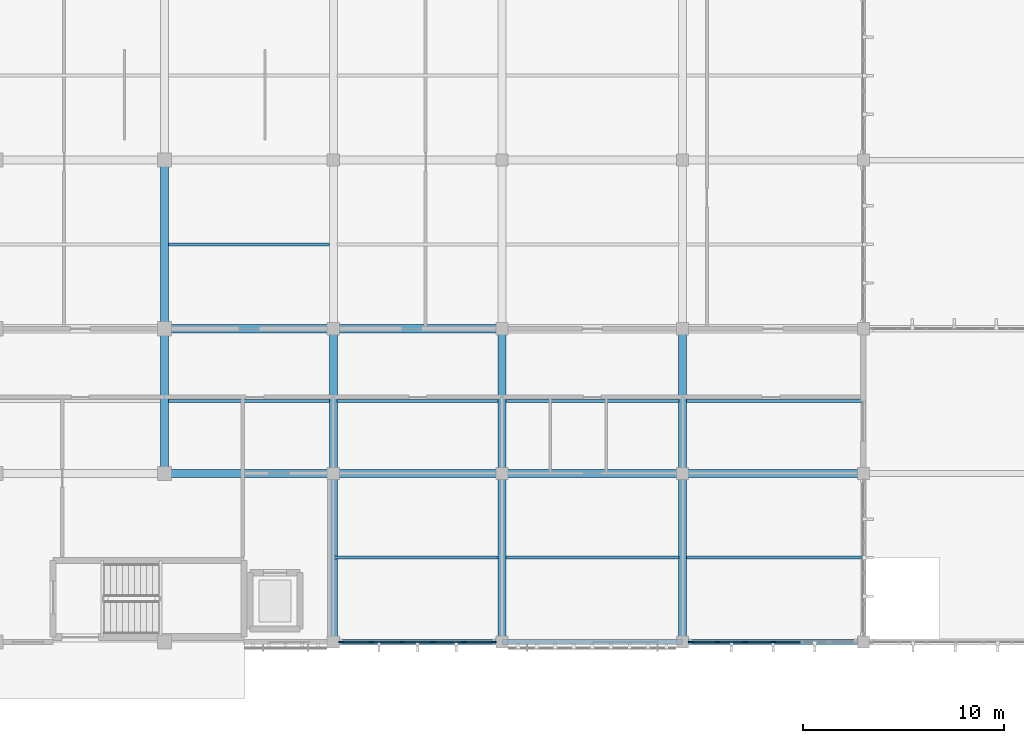
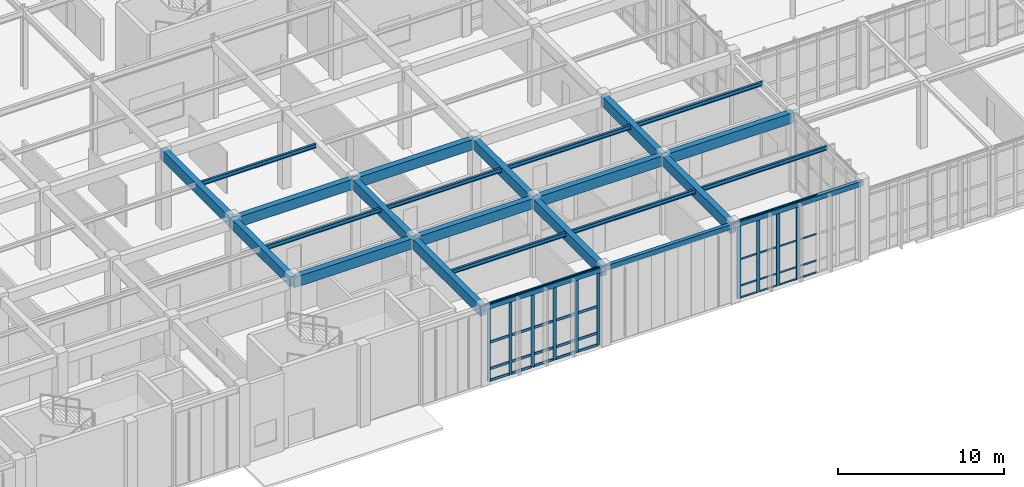
# One storey, part 26 of 110: 46 members, 25 beams, 2 elements without a shape of their own.
"""IFC4 building model written with IfcOpenShell, lengths in metres."""

from ifc_helpers import new_model, si_unit, direction, frame, origin, origin_2d, place, context, subcontext, project, spatial, rectangle, hollow_rectangle, i_section, extrude, material, material_profile, profile_set, type_object, element, aggregate, save


model = new_model("IFC4")

# Units and contexts
model_context = context("Model", 3, precision=1e-05, world=origin(), true_north=direction((0.0, 1.0)))
body_context = subcontext(model_context, "Body", "Model", "MODEL_VIEW")
ifc_project = project(units=[si_unit("LENGTHUNIT", "METRE"), si_unit("AREAUNIT", "SQUARE_METRE"), si_unit("VOLUMEUNIT", "CUBIC_METRE"), si_unit("PLANEANGLEUNIT", "RADIAN"), si_unit("MASSUNIT", "GRAM", prefix="KILO")], contexts=[model_context])

# Site, building, storey
site_placement = place(None, origin())
site = spatial("IfcSite", under=ifc_project, at=site_placement, CompositionType="ELEMENT")
building_placement = place(site_placement, origin())
building = spatial("IfcBuilding", under=site, at=building_placement, Name="Tizgana Railside Sports Hall", CompositionType="ELEMENT")
storey_placement = place(building_placement, origin())
storey = spatial("IfcBuildingStorey", under=building, at=storey_placement, Name="L00", CompositionType="ELEMENT", Elevation=0.0)

# Beams
ifc_material_1 = material(Name="Concrete C35/45", Category="concrete")
ifc_material_profile_1 = material_profile(ifc_material_1, rectangle(XDim=0.39990234375, YDim=0.75, at=origin_2d()), Name="RCB 400x750")
ifc_profile_set_1 = profile_set([ifc_material_profile_1], Name="Concrete C35/45")
beam_type_1 = type_object("IfcBeamType", Name="Concrete Beam RCB 400x750", PredefinedType="BEAM", material=ifc_profile_set_1)
beam_1_placement = place(storey_placement, frame((63.0, 8.39990234375, 5.37109375), z_axis=(0.0, 1.0, 0.0), x_axis=(-1.0, 0.0, 0.0)))
element("IfcBeam", 1, at=beam_1_placement, inside=storey, type_object=beam_type_1, Name="L00 BEM-0359", PredefinedType="BEAM", context=body_context, shape_type="SweptSolid", body=[
    extrude(rectangle(XDim=0.39990234375, YDim=0.75, at=origin_2d()), origin(), (0.0, 0.0, 1.0), 7.2001953125),
])
for number, where, z_axis, x_axis, name in (
    (2, (63.0, 15.60009765625, 5.37109375), (0.0, 1.0, 0.0), (-1.0, 0.0, 0.0), "L00 BEM-0360"),
    (3, (71.39990234375, 0.0, 5.37109375), (0.0, 1.0, 0.0), (-1.0, 0.0, 0.0), "L00 BEM-0362"),
):
    element("IfcBeam", number, at=place(storey_placement, frame(where, z_axis=z_axis, x_axis=x_axis)), inside=storey, type_object=beam_type_1, Name=name, PredefinedType="BEAM", context=body_context, shape_type="SweptSolid", body=[
        extrude(rectangle(XDim=0.39990234375, YDim=0.75, at=origin_2d()), origin(), (0.0, 0.0, 1.0), 8.39990234375),
    ])
beam_2_placement = place(storey_placement, frame((71.39990234375, 8.39990234375, 5.37109375), z_axis=(0.0, 1.0, 0.0), x_axis=(-1.0, 0.0, 0.0)))
element("IfcBeam", 4, at=beam_2_placement, inside=storey, type_object=beam_type_1, Name="L00 BEM-0363", PredefinedType="BEAM", context=body_context, shape_type="SweptSolid", body=[
    extrude(rectangle(XDim=0.39990234375, YDim=0.75, at=origin_2d()), origin(), (0.0, 0.0, 1.0), 7.2001953125),
])
beam_3_placement = place(storey_placement, frame((79.800048828125, 0.0, 5.37109375), z_axis=(0.0, 1.0, 0.0), x_axis=(-1.0, 0.0, 0.0)))
element("IfcBeam", 5, at=beam_3_placement, inside=storey, type_object=beam_type_1, Name="L00 BEM-0366", PredefinedType="BEAM", context=body_context, shape_type="SweptSolid", body=[
    extrude(rectangle(XDim=0.39990234375, YDim=0.75, at=origin_2d()), origin(), (0.0, 0.0, 1.0), 8.39990234375),
])
beam_4_placement = place(storey_placement, frame((79.800048828125, 8.39990234375, 5.37109375), z_axis=(0.0, 1.0, 0.0), x_axis=(-1.0, 0.0, 0.0)))
element("IfcBeam", 6, at=beam_4_placement, inside=storey, type_object=beam_type_1, Name="L00 BEM-0367", PredefinedType="BEAM", context=body_context, shape_type="SweptSolid", body=[
    extrude(rectangle(XDim=0.39990234375, YDim=0.75, at=origin_2d()), origin(), (0.0, 0.0, 1.0), 7.2001953125),
])
beam_5_placement = place(storey_placement, frame((88.800048828125, 0.0, 5.37109375), z_axis=(0.0, 1.0, 0.0), x_axis=(-1.0, 0.0, 0.0)))
element("IfcBeam", 7, at=beam_5_placement, inside=storey, type_object=beam_type_1, Name="L00 BEM-0370", PredefinedType="BEAM", context=body_context, shape_type="SweptSolid", body=[
    extrude(rectangle(XDim=0.39990234375, YDim=0.75, at=origin_2d()), origin(), (0.0, 0.0, 1.0), 8.39990234375),
])
beam_6_placement = place(storey_placement, frame((88.800048828125, 8.39990234375, 5.37109375), z_axis=(0.0, 1.0, 0.0), x_axis=(-1.0, 0.0, 0.0)))
element("IfcBeam", 8, at=beam_6_placement, inside=storey, type_object=beam_type_1, Name="L00 BEM-0371", PredefinedType="BEAM", context=body_context, shape_type="SweptSolid", body=[
    extrude(rectangle(XDim=0.39990234375, YDim=0.75, at=origin_2d()), origin(), (0.0, 0.0, 1.0), 7.2001953125),
])
for number, where, z_axis, x_axis, name in (
    (9, (63.0, 8.39990234375, 5.37109375), (1.0, 0.0, 0.0), (0.0, 1.0, 0.0), "L00 BEM-0431"),
    (10, (63.0, 15.60009765625, 5.37109375), (1.0, 0.0, 0.0), (0.0, 1.0, 0.0), "L00 BEM-0432"),
):
    element("IfcBeam", number, at=place(storey_placement, frame(where, z_axis=z_axis, x_axis=x_axis)), inside=storey, type_object=beam_type_1, Name=name, PredefinedType="BEAM", context=body_context, shape_type="SweptSolid", body=[
        extrude(rectangle(XDim=0.39990234375, YDim=0.75, at=origin_2d()), origin(), (0.0, 0.0, 1.0), 8.39990234375),
    ])
for number, where, z_axis, x_axis, name in (
    (11, (71.39990234375, 8.39990234375, 5.37109375), (1.0, 0.0, 0.0), (0.0, 1.0, 0.0), "L00 BEM-0439"),
    (12, (71.39990234375, 15.60009765625, 5.37109375), (1.0, 0.0, 0.0), (0.0, 1.0, 0.0), "L00 BEM-0440"),
):
    element("IfcBeam", number, at=place(storey_placement, frame(where, z_axis=z_axis, x_axis=x_axis)), inside=storey, type_object=beam_type_1, Name=name, PredefinedType="BEAM", context=body_context, shape_type="SweptSolid", body=[
        extrude(rectangle(XDim=0.39990234375, YDim=0.75, at=origin_2d()), origin(), (0.0, 0.0, 1.0), 8.400146484375),
    ])
for number, where, z_axis, x_axis, name in (
    (13, (79.800048828125, 8.39990234375, 5.37109375), (1.0, 0.0, 0.0), (0.0, 1.0, 0.0), "L00 BEM-0448"),
    (14, (88.800048828125, 8.39990234375, 5.37109375), (1.0, 0.0, 0.0), (0.0, 1.0, 0.0), "L00 BEM-0457"),
):
    element("IfcBeam", number, at=place(storey_placement, frame(where, z_axis=z_axis, x_axis=x_axis)), inside=storey, type_object=beam_type_1, Name=name, PredefinedType="BEAM", context=body_context, shape_type="SweptSolid", body=[
        extrude(rectangle(XDim=0.39990234375, YDim=0.75, at=origin_2d()), origin(), (0.0, 0.0, 1.0), 9.0),
    ])

# Curtain wall, members
ifc_material_2 = material(Name="Anodised aluminium and glass", Category="aluminium")
curtain_wall_type_1 = type_object("IfcCurtainWallType", Name="Unitised Curtain Wall Clinic 1200", PredefinedType="NOTDEFINED", material=ifc_material_2)
curtain_wall_1_placement = place(storey_placement, origin())
curtain_wall_1 = element("IfcCurtainWall", 15, at=curtain_wall_1_placement, inside=storey, type_object=curtain_wall_type_1, Name="L00 Curtain Wall CW-0076", PredefinedType="NOTDEFINED")
ifc_material_3 = material(Name="Anodised aluminium", Category="aluminium")
ifc_material_profile_2 = material_profile(ifc_material_3, rectangle(XDim=0.070068359375, YDim=0.219970703125, at=origin_2d()), Name="Mullion 70x220")
ifc_profile_set_2 = profile_set([ifc_material_profile_2], Name="Anodised aluminium")
member_type_1 = type_object("IfcMemberType", Name="Mullion 70x220", PredefinedType="MULLION", material=ifc_profile_set_2)
member_1_placement = place(storey_placement, frame((79.409912109375, 0.0, 0.044921875), z_axis=(0.0, 0.0, 1.0), x_axis=(0.0, -1.0, 0.0)))
member_1 = element("IfcMember", 16, at=member_1_placement, type_object=member_type_1, Name="CW-05 mullion 1", PredefinedType="MULLION", context=body_context, shape_type="SweptSolid", body=[
    extrude(rectangle(XDim=0.070068359375, YDim=0.219970703125, at=origin_2d()), origin(), (0.0, 0.0, 1.0), 5.705078125),
])
member_2_placement = place(storey_placement, frame((77.906982421875, 0.0, 0.044921875), z_axis=(0.0, 0.0, 1.0), x_axis=(0.0, -1.0, 0.0)))
member_2 = element("IfcMember", 17, at=member_2_placement, type_object=member_type_1, Name="CW-05 mullion 2", PredefinedType="MULLION", context=body_context, shape_type="SweptSolid", body=[
    extrude(rectangle(XDim=0.070068359375, YDim=0.219970703125, at=origin_2d()), origin(), (0.0, 0.0, 1.0), 5.705078125),
])
member_3_placement = place(storey_placement, frame((76.368896484375, 0.0, 0.044921875), z_axis=(0.0, 0.0, 1.0), x_axis=(0.0, -1.0, 0.0)))
member_3 = element("IfcMember", 18, at=member_3_placement, type_object=member_type_1, Name="CW-05 mullion 3", PredefinedType="MULLION", context=body_context, shape_type="SweptSolid", body=[
    extrude(rectangle(XDim=0.070068359375, YDim=0.219970703125, at=origin_2d()), origin(), (0.0, 0.0, 1.0), 5.705078125),
])
member_4_placement = place(storey_placement, frame((74.8310546875, 0.0, 0.044921875), z_axis=(0.0, 0.0, 1.0), x_axis=(0.0, -1.0, 0.0)))
member_4 = element("IfcMember", 19, at=member_4_placement, type_object=member_type_1, Name="CW-05 mullion 4", PredefinedType="MULLION", context=body_context, shape_type="SweptSolid", body=[
    extrude(rectangle(XDim=0.070068359375, YDim=0.219970703125, at=origin_2d()), origin(), (0.0, 0.0, 1.0), 5.705078125),
])
member_5_placement = place(storey_placement, frame((73.29296875, 0.0, 0.044921875), z_axis=(0.0, 0.0, 1.0), x_axis=(0.0, -1.0, 0.0)))
member_5 = element("IfcMember", 20, at=member_5_placement, type_object=member_type_1, Name="CW-05 mullion 5", PredefinedType="MULLION", context=body_context, shape_type="SweptSolid", body=[
    extrude(rectangle(XDim=0.070068359375, YDim=0.219970703125, at=origin_2d()), origin(), (0.0, 0.0, 1.0), 5.705078125),
])
member_6_placement = place(storey_placement, frame((71.7900390625, 0.0, 0.044921875), z_axis=(0.0, 0.0, 1.0), x_axis=(0.0, -1.0, 0.0)))
member_6 = element("IfcMember", 21, at=member_6_placement, type_object=member_type_1, Name="CW-05 mullion 6", PredefinedType="MULLION", context=body_context, shape_type="SweptSolid", body=[
    extrude(rectangle(XDim=0.070068359375, YDim=0.219970703125, at=origin_2d()), origin(), (0.0, 0.0, 1.0), 5.705078125),
])

curtain_wall_type_2 = type_object("IfcCurtainWallType", Name="Unitised Curtain Wall Passage 1800", PredefinedType="NOTDEFINED", material=ifc_material_2)
curtain_wall_2_placement = place(storey_placement, origin())
curtain_wall_2 = element("IfcCurtainWall", 22, at=curtain_wall_2_placement, inside=storey, type_object=curtain_wall_type_2, Name="L00 Curtain Wall CW-0077", PredefinedType="NOTDEFINED")
ifc_material_profile_3 = material_profile(ifc_material_3, rectangle(XDim=0.074951171875, YDim=0.25, at=origin_2d()), Name="Mullion 75x250")
ifc_profile_set_3 = profile_set([ifc_material_profile_3], Name="Anodised aluminium")
member_type_2 = type_object("IfcMemberType", Name="Mullion 75x250", PredefinedType="MULLION", material=ifc_profile_set_3)
member_7_placement = place(storey_placement, frame((93.300048828125, 0.0, 0.044921875), z_axis=(0.0, 0.0, 1.0), x_axis=(0.0, -1.0, 0.0)))
member_7 = element("IfcMember", 23, at=member_7_placement, type_object=member_type_2, Name="CW-06 mullion 4", PredefinedType="MULLION", context=body_context, shape_type="SweptSolid", body=[
    extrude(rectangle(XDim=0.074951171875, YDim=0.25, at=origin_2d()), origin(), (0.0, 0.0, 1.0), 5.705078125),
])
member_8_placement = place(storey_placement, frame((91.918212890625, 0.0, 0.044921875), z_axis=(0.0, 0.0, 1.0), x_axis=(0.0, -1.0, 0.0)))
member_8 = element("IfcMember", 24, at=member_8_placement, type_object=member_type_2, Name="CW-06 mullion 5", PredefinedType="MULLION", context=body_context, shape_type="SweptSolid", body=[
    extrude(rectangle(XDim=0.074951171875, YDim=0.25, at=origin_2d()), origin(), (0.0, 0.0, 1.0), 5.705078125),
])
member_9_placement = place(storey_placement, frame((90.53662109375, 0.0, 0.044921875), z_axis=(0.0, 0.0, 1.0), x_axis=(0.0, -1.0, 0.0)))
member_9 = element("IfcMember", 25, at=member_9_placement, type_object=member_type_2, Name="CW-06 mullion 6", PredefinedType="MULLION", context=body_context, shape_type="SweptSolid", body=[
    extrude(rectangle(XDim=0.074951171875, YDim=0.25, at=origin_2d()), origin(), (0.0, 0.0, 1.0), 5.705078125),
])
member_10_placement = place(storey_placement, frame((89.1923828125, 0.0, 0.044921875), z_axis=(0.0, 0.0, 1.0), x_axis=(0.0, -1.0, 0.0)))
member_10 = element("IfcMember", 26, at=member_10_placement, type_object=member_type_2, Name="CW-06 mullion 7", PredefinedType="MULLION", context=body_context, shape_type="SweptSolid", body=[
    extrude(rectangle(XDim=0.074951171875, YDim=0.25, at=origin_2d()), origin(), (0.0, 0.0, 1.0), 5.705078125),
])

# Beams
ifc_material_4 = material(Name="Steel S355J2", Category="steel")
ifc_material_profile_4 = material_profile(ifc_material_4, i_section(OverallWidth=0.14990234375, OverallDepth=0.300048828125, WebThickness=0.007080078125, FlangeThickness=0.0107421875, FilletRadius=0.014892578125, at=origin_2d()), Name="IPE 300")
ifc_profile_set_4 = profile_set([ifc_material_profile_4], Name="Steel S355J2")
beam_type_2 = type_object("IfcBeamType", Name="Steel Joist IPE 300", PredefinedType="JOIST", material=ifc_profile_set_4)
for number, where, z_axis, x_axis, name in (
    (27, (63.195068359375, 12.0, 5.595947265625), (1.0, 0.0, 0.0), (0.0, 1.0, 0.0), "L00 BEM-0435"),
    (28, (63.195068359375, 19.800048828125, 5.595947265625), (1.0, 0.0, 0.0), (0.0, 1.0, 0.0), "L00 BEM-0436"),
):
    element("IfcBeam", number, at=place(storey_placement, frame(where, z_axis=z_axis, x_axis=x_axis)), inside=storey, type_object=beam_type_2, Name=name, PredefinedType="JOIST", context=body_context, shape_type="SweptSolid", body=[
        extrude(i_section(OverallWidth=0.14990234375, OverallDepth=0.300048828125, WebThickness=0.007080078125, FlangeThickness=0.0107421875, FilletRadius=0.014892578125, at=origin_2d()), origin(), (0.0, 0.0, 1.0), 8.010009765625),
    ])
beam_7_placement = place(storey_placement, frame((71.39990234375, 4.199951171875, 5.595947265625), z_axis=(1.0, 0.0, 0.0), x_axis=(0.0, 1.0, 0.0)))
element("IfcBeam", 29, at=beam_7_placement, inside=storey, type_object=beam_type_2, Name="L00 BEM-0443", PredefinedType="JOIST", context=body_context, shape_type="SweptSolid", body=[
    extrude(i_section(OverallWidth=0.14990234375, OverallDepth=0.300048828125, WebThickness=0.007080078125, FlangeThickness=0.0107421875, FilletRadius=0.014892578125, at=origin_2d()), origin(), (0.0, 0.0, 1.0), 8.205078125),
])
beam_8_placement = place(storey_placement, frame((71.594970703125, 12.0, 5.595947265625), z_axis=(1.0, 0.0, 0.0), x_axis=(0.0, 1.0, 0.0)))
element("IfcBeam", 30, at=beam_8_placement, inside=storey, type_object=beam_type_2, Name="L00 BEM-0444", PredefinedType="JOIST", context=body_context, shape_type="SweptSolid", body=[
    extrude(i_section(OverallWidth=0.14990234375, OverallDepth=0.300048828125, WebThickness=0.007080078125, FlangeThickness=0.0107421875, FilletRadius=0.014892578125, at=origin_2d()), origin(), (0.0, 0.0, 1.0), 8.010009765625),
])
for number, where, z_axis, x_axis, name in (
    (31, (79.9951171875, 4.199951171875, 5.595947265625), (1.0, 0.0, 0.0), (0.0, 1.0, 0.0), "L00 BEM-0452"),
    (32, (79.9951171875, 12.0, 5.595947265625), (1.0, 0.0, 0.0), (0.0, 1.0, 0.0), "L00 BEM-0453"),
):
    element("IfcBeam", number, at=place(storey_placement, frame(where, z_axis=z_axis, x_axis=x_axis)), inside=storey, type_object=beam_type_2, Name=name, PredefinedType="JOIST", context=body_context, shape_type="SweptSolid", body=[
        extrude(i_section(OverallWidth=0.14990234375, OverallDepth=0.300048828125, WebThickness=0.007080078125, FlangeThickness=0.0107421875, FilletRadius=0.014892578125, at=origin_2d()), origin(), (0.0, 0.0, 1.0), 8.60986328125),
    ])
for number, where, z_axis, x_axis, name in (
    (33, (88.9951171875, 4.199951171875, 5.595947265625), (1.0, 0.0, 0.0), (0.0, 1.0, 0.0), "L00 BEM-0461"),
    (34, (88.9951171875, 12.0, 5.595947265625), (1.0, 0.0, 0.0), (0.0, 1.0, 0.0), "L00 BEM-0462"),
):
    element("IfcBeam", number, at=place(storey_placement, frame(where, z_axis=z_axis, x_axis=x_axis)), inside=storey, type_object=beam_type_2, Name=name, PredefinedType="JOIST", context=body_context, shape_type="SweptSolid", body=[
        extrude(i_section(OverallWidth=0.14990234375, OverallDepth=0.300048828125, WebThickness=0.007080078125, FlangeThickness=0.0107421875, FilletRadius=0.014892578125, at=origin_2d()), origin(), (0.0, 0.0, 1.0), 8.804931640625),
    ])
ifc_material_profile_5 = material_profile(ifc_material_4, hollow_rectangle(XDim=0.25, YDim=0.35009765625, WallThickness=0.011962890625, at=origin_2d()), Name="RHS 350x250x12")
ifc_profile_set_5 = profile_set([ifc_material_profile_5], Name="Steel S355J2")
beam_type_3 = type_object("IfcBeamType", Name="Steel Spandrel RHS 350x250x12", PredefinedType="SPANDREL", material=ifc_profile_set_5)
beam_9_placement = place(storey_placement, frame((71.39990234375, 0.0, 5.571044921875), z_axis=(1.0, 0.0, 0.0), x_axis=(0.0, 1.0, 0.0)))
element("IfcBeam", 35, at=beam_9_placement, inside=storey, type_object=beam_type_3, Name="L00 BEM-0438", PredefinedType="SPANDREL", context=body_context, shape_type="SweptSolid", body=[
    extrude(hollow_rectangle(XDim=0.25, YDim=0.35009765625, WallThickness=0.011962890625, at=origin_2d()), origin(), (0.0, 0.0, 1.0), 8.400146484375),
])
for number, where, z_axis, x_axis, name in (
    (36, (79.800048828125, 0.0, 5.571044921875), (1.0, 0.0, 0.0), (0.0, 1.0, 0.0), "L00 BEM-0447"),
    (37, (88.800048828125, 0.0, 5.571044921875), (1.0, 0.0, 0.0), (0.0, 1.0, 0.0), "L00 BEM-0456"),
):
    element("IfcBeam", number, at=place(storey_placement, frame(where, z_axis=z_axis, x_axis=x_axis)), inside=storey, type_object=beam_type_3, Name=name, PredefinedType="SPANDREL", context=body_context, shape_type="SweptSolid", body=[
        extrude(hollow_rectangle(XDim=0.25, YDim=0.35009765625, WallThickness=0.011962890625, at=origin_2d()), origin(), (0.0, 0.0, 1.0), 9.0),
    ])

# Member
ifc_material_profile_6 = material_profile(ifc_material_3, rectangle(XDim=0.054931640625, YDim=0.1201171875, at=origin_2d()), Name="Transom 55x120")
ifc_profile_set_6 = profile_set([ifc_material_profile_6], Name="Anodised aluminium")
member_type_3 = type_object("IfcMemberType", Name="Transom 55x120", PredefinedType="USERDEFINED", material=ifc_profile_set_6)
member_11_placement = place(storey_placement, frame((94.644287109375, 0.0, 0.072509765625), z_axis=(-1.0, 0.0, 0.0), x_axis=(0.0, -1.0, 0.0)))
member_11 = element("IfcMember", 38, at=member_11_placement, type_object=member_type_3, Name="CW-06 transom 3.1", ObjectType="TRANSOM", PredefinedType="USERDEFINED", context=body_context, shape_type="SweptSolid", body=[
    extrude(rectangle(XDim=0.054931640625, YDim=0.1201171875, at=origin_2d()), origin(), (0.0, 0.0, 1.0), 1.306884765625),
])

member_12_placement = place(storey_placement, frame((94.644287109375, 0.0, 0.945068359375), z_axis=(-1.0, 0.0, 0.0), x_axis=(0.0, -1.0, 0.0)))
member_12 = element("IfcMember", 39, at=member_12_placement, type_object=member_type_3, Name="CW-06 transom 3.2", ObjectType="TRANSOM", PredefinedType="USERDEFINED", context=body_context, shape_type="SweptSolid", body=[
    extrude(rectangle(XDim=0.054931640625, YDim=0.1201171875, at=origin_2d()), origin(), (0.0, 0.0, 1.0), 1.306884765625),
])

member_13_placement = place(storey_placement, frame((94.644287109375, 0.0, 2.8974609375), z_axis=(-1.0, 0.0, 0.0), x_axis=(0.0, -1.0, 0.0)))
member_13 = element("IfcMember", 40, at=member_13_placement, type_object=member_type_3, Name="CW-06 transom 3.3", ObjectType="TRANSOM", PredefinedType="USERDEFINED", context=body_context, shape_type="SweptSolid", body=[
    extrude(rectangle(XDim=0.054931640625, YDim=0.1201171875, at=origin_2d()), origin(), (0.0, 0.0, 1.0), 1.306884765625),
])

member_14_placement = place(storey_placement, frame((94.644287109375, 0.0, 5.722412109375), z_axis=(-1.0, 0.0, 0.0), x_axis=(0.0, -1.0, 0.0)))
member_14 = element("IfcMember", 41, at=member_14_placement, type_object=member_type_3, Name="CW-06 transom 3.4", ObjectType="TRANSOM", PredefinedType="USERDEFINED", context=body_context, shape_type="SweptSolid", body=[
    extrude(rectangle(XDim=0.054931640625, YDim=0.1201171875, at=origin_2d()), origin(), (0.0, 0.0, 1.0), 1.306884765625),
])

member_15_placement = place(storey_placement, frame((93.262451171875, 0.0, 0.072509765625), z_axis=(-1.0, 0.0, 0.0), x_axis=(0.0, -1.0, 0.0)))
member_15 = element("IfcMember", 42, at=member_15_placement, type_object=member_type_3, Name="CW-06 transom 4.1", ObjectType="TRANSOM", PredefinedType="USERDEFINED", context=body_context, shape_type="SweptSolid", body=[
    extrude(rectangle(XDim=0.054931640625, YDim=0.1201171875, at=origin_2d()), origin(), (0.0, 0.0, 1.0), 1.306640625),
])

member_16_placement = place(storey_placement, frame((93.262451171875, 0.0, 0.945068359375), z_axis=(-1.0, 0.0, 0.0), x_axis=(0.0, -1.0, 0.0)))
member_16 = element("IfcMember", 43, at=member_16_placement, type_object=member_type_3, Name="CW-06 transom 4.2", ObjectType="TRANSOM", PredefinedType="USERDEFINED", context=body_context, shape_type="SweptSolid", body=[
    extrude(rectangle(XDim=0.054931640625, YDim=0.1201171875, at=origin_2d()), origin(), (0.0, 0.0, 1.0), 1.306640625),
])

member_17_placement = place(storey_placement, frame((93.262451171875, 0.0, 2.8974609375), z_axis=(-1.0, 0.0, 0.0), x_axis=(0.0, -1.0, 0.0)))
member_17 = element("IfcMember", 44, at=member_17_placement, type_object=member_type_3, Name="CW-06 transom 4.3", ObjectType="TRANSOM", PredefinedType="USERDEFINED", context=body_context, shape_type="SweptSolid", body=[
    extrude(rectangle(XDim=0.054931640625, YDim=0.1201171875, at=origin_2d()), origin(), (0.0, 0.0, 1.0), 1.306640625),
])

member_18_placement = place(storey_placement, frame((93.262451171875, 0.0, 5.722412109375), z_axis=(-1.0, 0.0, 0.0), x_axis=(0.0, -1.0, 0.0)))
member_18 = element("IfcMember", 45, at=member_18_placement, type_object=member_type_3, Name="CW-06 transom 4.4", ObjectType="TRANSOM", PredefinedType="USERDEFINED", context=body_context, shape_type="SweptSolid", body=[
    extrude(rectangle(XDim=0.054931640625, YDim=0.1201171875, at=origin_2d()), origin(), (0.0, 0.0, 1.0), 1.306640625),
])

member_19_placement = place(storey_placement, frame((91.880859375, 0.0, 0.072509765625), z_axis=(-1.0, 0.0, 0.0), x_axis=(0.0, -1.0, 0.0)))
member_19 = element("IfcMember", 46, at=member_19_placement, type_object=member_type_3, Name="CW-06 transom 5.1", ObjectType="TRANSOM", PredefinedType="USERDEFINED", context=body_context, shape_type="SweptSolid", body=[
    extrude(rectangle(XDim=0.054931640625, YDim=0.1201171875, at=origin_2d()), origin(), (0.0, 0.0, 1.0), 1.306640625),
])

member_20_placement = place(storey_placement, frame((91.880859375, 0.0, 0.945068359375), z_axis=(-1.0, 0.0, 0.0), x_axis=(0.0, -1.0, 0.0)))
member_20 = element("IfcMember", 47, at=member_20_placement, type_object=member_type_3, Name="CW-06 transom 5.2", ObjectType="TRANSOM", PredefinedType="USERDEFINED", context=body_context, shape_type="SweptSolid", body=[
    extrude(rectangle(XDim=0.054931640625, YDim=0.1201171875, at=origin_2d()), origin(), (0.0, 0.0, 1.0), 1.306640625),
])

member_21_placement = place(storey_placement, frame((91.880859375, 0.0, 2.8974609375), z_axis=(-1.0, 0.0, 0.0), x_axis=(0.0, -1.0, 0.0)))
member_21 = element("IfcMember", 48, at=member_21_placement, type_object=member_type_3, Name="CW-06 transom 5.3", ObjectType="TRANSOM", PredefinedType="USERDEFINED", context=body_context, shape_type="SweptSolid", body=[
    extrude(rectangle(XDim=0.054931640625, YDim=0.1201171875, at=origin_2d()), origin(), (0.0, 0.0, 1.0), 1.306640625),
])

member_22_placement = place(storey_placement, frame((91.880859375, 0.0, 5.722412109375), z_axis=(-1.0, 0.0, 0.0), x_axis=(0.0, -1.0, 0.0)))
member_22 = element("IfcMember", 49, at=member_22_placement, type_object=member_type_3, Name="CW-06 transom 5.4", ObjectType="TRANSOM", PredefinedType="USERDEFINED", context=body_context, shape_type="SweptSolid", body=[
    extrude(rectangle(XDim=0.054931640625, YDim=0.1201171875, at=origin_2d()), origin(), (0.0, 0.0, 1.0), 1.306640625),
])

member_23_placement = place(storey_placement, frame((90.499267578125, 0.0, 0.072509765625), z_axis=(-1.0, 0.0, 0.0), x_axis=(0.0, -1.0, 0.0)))
member_23 = element("IfcMember", 50, at=member_23_placement, type_object=member_type_3, Name="CW-06 transom 6.1", ObjectType="TRANSOM", PredefinedType="USERDEFINED", context=body_context, shape_type="SweptSolid", body=[
    extrude(rectangle(XDim=0.054931640625, YDim=0.1201171875, at=origin_2d()), origin(), (0.0, 0.0, 1.0), 1.269287109375),
])

member_24_placement = place(storey_placement, frame((90.499267578125, 0.0, 0.945068359375), z_axis=(-1.0, 0.0, 0.0), x_axis=(0.0, -1.0, 0.0)))
member_24 = element("IfcMember", 51, at=member_24_placement, type_object=member_type_3, Name="CW-06 transom 6.2", ObjectType="TRANSOM", PredefinedType="USERDEFINED", context=body_context, shape_type="SweptSolid", body=[
    extrude(rectangle(XDim=0.054931640625, YDim=0.1201171875, at=origin_2d()), origin(), (0.0, 0.0, 1.0), 1.269287109375),
])

member_25_placement = place(storey_placement, frame((90.499267578125, 0.0, 2.8974609375), z_axis=(-1.0, 0.0, 0.0), x_axis=(0.0, -1.0, 0.0)))
member_25 = element("IfcMember", 52, at=member_25_placement, type_object=member_type_3, Name="CW-06 transom 6.3", ObjectType="TRANSOM", PredefinedType="USERDEFINED", context=body_context, shape_type="SweptSolid", body=[
    extrude(rectangle(XDim=0.054931640625, YDim=0.1201171875, at=origin_2d()), origin(), (0.0, 0.0, 1.0), 1.269287109375),
])

member_26_placement = place(storey_placement, frame((90.499267578125, 0.0, 5.722412109375), z_axis=(-1.0, 0.0, 0.0), x_axis=(0.0, -1.0, 0.0)))
member_26 = element("IfcMember", 53, at=member_26_placement, type_object=member_type_3, Name="CW-06 transom 6.4", ObjectType="TRANSOM", PredefinedType="USERDEFINED", context=body_context, shape_type="SweptSolid", body=[
    extrude(rectangle(XDim=0.054931640625, YDim=0.1201171875, at=origin_2d()), origin(), (0.0, 0.0, 1.0), 1.269287109375),
])

aggregate(curtain_wall_2, [member_7, member_8, member_9, member_10, member_11, member_12, member_13, member_14, member_15, member_16, member_17, member_18, member_19, member_20, member_21, member_22, member_23, member_24, member_25, member_26])

ifc_material_profile_7 = material_profile(ifc_material_3, rectangle(XDim=0.070068359375, YDim=0.18994140625, at=origin_2d()), Name="Transom 70x190")
ifc_profile_set_7 = profile_set([ifc_material_profile_7], Name="Anodised aluminium")
member_type_4 = type_object("IfcMemberType", Name="Transom 70x190", PredefinedType="USERDEFINED", material=ifc_profile_set_7)
member_27_placement = place(storey_placement, frame((79.375, 0.0, 0.080078125), z_axis=(-1.0, 0.0, 0.0), x_axis=(0.0, -1.0, 0.0)))
member_27 = element("IfcMember", 54, at=member_27_placement, type_object=member_type_4, Name="CW-05 transom 1.1", ObjectType="TRANSOM", PredefinedType="USERDEFINED", context=body_context, shape_type="SweptSolid", body=[
    extrude(rectangle(XDim=0.070068359375, YDim=0.18994140625, at=origin_2d()), origin(), (0.0, 0.0, 1.0), 1.43310546875),
])

member_28_placement = place(storey_placement, frame((79.375, 0.0, 0.945068359375), z_axis=(-1.0, 0.0, 0.0), x_axis=(0.0, -1.0, 0.0)))
member_28 = element("IfcMember", 55, at=member_28_placement, type_object=member_type_4, Name="CW-05 transom 1.2", ObjectType="TRANSOM", PredefinedType="USERDEFINED", context=body_context, shape_type="SweptSolid", body=[
    extrude(rectangle(XDim=0.070068359375, YDim=0.18994140625, at=origin_2d()), origin(), (0.0, 0.0, 1.0), 1.43310546875),
])

member_29_placement = place(storey_placement, frame((79.375, 0.0, 2.8974609375), z_axis=(-1.0, 0.0, 0.0), x_axis=(0.0, -1.0, 0.0)))
member_29 = element("IfcMember", 56, at=member_29_placement, type_object=member_type_4, Name="CW-05 transom 1.3", ObjectType="TRANSOM", PredefinedType="USERDEFINED", context=body_context, shape_type="SweptSolid", body=[
    extrude(rectangle(XDim=0.070068359375, YDim=0.18994140625, at=origin_2d()), origin(), (0.0, 0.0, 1.0), 1.43310546875),
])

member_30_placement = place(storey_placement, frame((79.375, 0.0, 5.715087890625), z_axis=(-1.0, 0.0, 0.0), x_axis=(0.0, -1.0, 0.0)))
member_30 = element("IfcMember", 57, at=member_30_placement, type_object=member_type_4, Name="CW-05 transom 1.4", ObjectType="TRANSOM", PredefinedType="USERDEFINED", context=body_context, shape_type="SweptSolid", body=[
    extrude(rectangle(XDim=0.070068359375, YDim=0.18994140625, at=origin_2d()), origin(), (0.0, 0.0, 1.0), 1.43310546875),
])

member_31_placement = place(storey_placement, frame((77.8720703125, 0.0, 0.080078125), z_axis=(-1.0, 0.0, 0.0), x_axis=(0.0, -1.0, 0.0)))
member_31 = element("IfcMember", 58, at=member_31_placement, type_object=member_type_4, Name="CW-05 transom 2.1", ObjectType="TRANSOM", PredefinedType="USERDEFINED", context=body_context, shape_type="SweptSolid", body=[
    extrude(rectangle(XDim=0.070068359375, YDim=0.18994140625, at=origin_2d()), origin(), (0.0, 0.0, 1.0), 1.468017578125),
])

member_32_placement = place(storey_placement, frame((77.8720703125, 0.0, 0.945068359375), z_axis=(-1.0, 0.0, 0.0), x_axis=(0.0, -1.0, 0.0)))
member_32 = element("IfcMember", 59, at=member_32_placement, type_object=member_type_4, Name="CW-05 transom 2.2", ObjectType="TRANSOM", PredefinedType="USERDEFINED", context=body_context, shape_type="SweptSolid", body=[
    extrude(rectangle(XDim=0.070068359375, YDim=0.18994140625, at=origin_2d()), origin(), (0.0, 0.0, 1.0), 1.468017578125),
])

member_33_placement = place(storey_placement, frame((77.8720703125, 0.0, 2.8974609375), z_axis=(-1.0, 0.0, 0.0), x_axis=(0.0, -1.0, 0.0)))
member_33 = element("IfcMember", 60, at=member_33_placement, type_object=member_type_4, Name="CW-05 transom 2.3", ObjectType="TRANSOM", PredefinedType="USERDEFINED", context=body_context, shape_type="SweptSolid", body=[
    extrude(rectangle(XDim=0.070068359375, YDim=0.18994140625, at=origin_2d()), origin(), (0.0, 0.0, 1.0), 1.468017578125),
])

member_34_placement = place(storey_placement, frame((77.8720703125, 0.0, 5.715087890625), z_axis=(-1.0, 0.0, 0.0), x_axis=(0.0, -1.0, 0.0)))
member_34 = element("IfcMember", 61, at=member_34_placement, type_object=member_type_4, Name="CW-05 transom 2.4", ObjectType="TRANSOM", PredefinedType="USERDEFINED", context=body_context, shape_type="SweptSolid", body=[
    extrude(rectangle(XDim=0.070068359375, YDim=0.18994140625, at=origin_2d()), origin(), (0.0, 0.0, 1.0), 1.468017578125),
])

member_35_placement = place(storey_placement, frame((76.333984375, 0.0, 0.080078125), z_axis=(-1.0, 0.0, 0.0), x_axis=(0.0, -1.0, 0.0)))
member_35 = element("IfcMember", 62, at=member_35_placement, type_object=member_type_4, Name="CW-05 transom 3.1", ObjectType="TRANSOM", PredefinedType="USERDEFINED", context=body_context, shape_type="SweptSolid", body=[
    extrude(rectangle(XDim=0.070068359375, YDim=0.18994140625, at=origin_2d()), origin(), (0.0, 0.0, 1.0), 1.468017578125),
])

member_36_placement = place(storey_placement, frame((76.333984375, 0.0, 0.945068359375), z_axis=(-1.0, 0.0, 0.0), x_axis=(0.0, -1.0, 0.0)))
member_36 = element("IfcMember", 63, at=member_36_placement, type_object=member_type_4, Name="CW-05 transom 3.2", ObjectType="TRANSOM", PredefinedType="USERDEFINED", context=body_context, shape_type="SweptSolid", body=[
    extrude(rectangle(XDim=0.070068359375, YDim=0.18994140625, at=origin_2d()), origin(), (0.0, 0.0, 1.0), 1.468017578125),
])

member_37_placement = place(storey_placement, frame((76.333984375, 0.0, 2.8974609375), z_axis=(-1.0, 0.0, 0.0), x_axis=(0.0, -1.0, 0.0)))
member_37 = element("IfcMember", 64, at=member_37_placement, type_object=member_type_4, Name="CW-05 transom 3.3", ObjectType="TRANSOM", PredefinedType="USERDEFINED", context=body_context, shape_type="SweptSolid", body=[
    extrude(rectangle(XDim=0.070068359375, YDim=0.18994140625, at=origin_2d()), origin(), (0.0, 0.0, 1.0), 1.468017578125),
])

member_38_placement = place(storey_placement, frame((76.333984375, 0.0, 5.715087890625), z_axis=(-1.0, 0.0, 0.0), x_axis=(0.0, -1.0, 0.0)))
member_38 = element("IfcMember", 65, at=member_38_placement, type_object=member_type_4, Name="CW-05 transom 3.4", ObjectType="TRANSOM", PredefinedType="USERDEFINED", context=body_context, shape_type="SweptSolid", body=[
    extrude(rectangle(XDim=0.070068359375, YDim=0.18994140625, at=origin_2d()), origin(), (0.0, 0.0, 1.0), 1.468017578125),
])

member_39_placement = place(storey_placement, frame((74.7958984375, 0.0, 0.080078125), z_axis=(-1.0, 0.0, 0.0), x_axis=(0.0, -1.0, 0.0)))
member_39 = element("IfcMember", 66, at=member_39_placement, type_object=member_type_4, Name="CW-05 transom 4.1", ObjectType="TRANSOM", PredefinedType="USERDEFINED", context=body_context, shape_type="SweptSolid", body=[
    extrude(rectangle(XDim=0.070068359375, YDim=0.18994140625, at=origin_2d()), origin(), (0.0, 0.0, 1.0), 1.468017578125),
])

member_40_placement = place(storey_placement, frame((74.7958984375, 0.0, 0.945068359375), z_axis=(-1.0, 0.0, 0.0), x_axis=(0.0, -1.0, 0.0)))
member_40 = element("IfcMember", 67, at=member_40_placement, type_object=member_type_4, Name="CW-05 transom 4.2", ObjectType="TRANSOM", PredefinedType="USERDEFINED", context=body_context, shape_type="SweptSolid", body=[
    extrude(rectangle(XDim=0.070068359375, YDim=0.18994140625, at=origin_2d()), origin(), (0.0, 0.0, 1.0), 1.468017578125),
])

member_41_placement = place(storey_placement, frame((74.7958984375, 0.0, 2.8974609375), z_axis=(-1.0, 0.0, 0.0), x_axis=(0.0, -1.0, 0.0)))
member_41 = element("IfcMember", 68, at=member_41_placement, type_object=member_type_4, Name="CW-05 transom 4.3", ObjectType="TRANSOM", PredefinedType="USERDEFINED", context=body_context, shape_type="SweptSolid", body=[
    extrude(rectangle(XDim=0.070068359375, YDim=0.18994140625, at=origin_2d()), origin(), (0.0, 0.0, 1.0), 1.468017578125),
])

member_42_placement = place(storey_placement, frame((74.7958984375, 0.0, 5.715087890625), z_axis=(-1.0, 0.0, 0.0), x_axis=(0.0, -1.0, 0.0)))
member_42 = element("IfcMember", 69, at=member_42_placement, type_object=member_type_4, Name="CW-05 transom 4.4", ObjectType="TRANSOM", PredefinedType="USERDEFINED", context=body_context, shape_type="SweptSolid", body=[
    extrude(rectangle(XDim=0.070068359375, YDim=0.18994140625, at=origin_2d()), origin(), (0.0, 0.0, 1.0), 1.468017578125),
])

member_43_placement = place(storey_placement, frame((73.258056640625, 0.0, 0.080078125), z_axis=(-1.0, 0.0, 0.0), x_axis=(0.0, -1.0, 0.0)))
member_43 = element("IfcMember", 70, at=member_43_placement, type_object=member_type_4, Name="CW-05 transom 5.1", ObjectType="TRANSOM", PredefinedType="USERDEFINED", context=body_context, shape_type="SweptSolid", body=[
    extrude(rectangle(XDim=0.070068359375, YDim=0.18994140625, at=origin_2d()), origin(), (0.0, 0.0, 1.0), 1.43310546875),
])

member_44_placement = place(storey_placement, frame((73.258056640625, 0.0, 0.945068359375), z_axis=(-1.0, 0.0, 0.0), x_axis=(0.0, -1.0, 0.0)))
member_44 = element("IfcMember", 71, at=member_44_placement, type_object=member_type_4, Name="CW-05 transom 5.2", ObjectType="TRANSOM", PredefinedType="USERDEFINED", context=body_context, shape_type="SweptSolid", body=[
    extrude(rectangle(XDim=0.070068359375, YDim=0.18994140625, at=origin_2d()), origin(), (0.0, 0.0, 1.0), 1.43310546875),
])

member_45_placement = place(storey_placement, frame((73.258056640625, 0.0, 2.8974609375), z_axis=(-1.0, 0.0, 0.0), x_axis=(0.0, -1.0, 0.0)))
member_45 = element("IfcMember", 72, at=member_45_placement, type_object=member_type_4, Name="CW-05 transom 5.3", ObjectType="TRANSOM", PredefinedType="USERDEFINED", context=body_context, shape_type="SweptSolid", body=[
    extrude(rectangle(XDim=0.070068359375, YDim=0.18994140625, at=origin_2d()), origin(), (0.0, 0.0, 1.0), 1.43310546875),
])

member_46_placement = place(storey_placement, frame((73.258056640625, 0.0, 5.715087890625), z_axis=(-1.0, 0.0, 0.0), x_axis=(0.0, -1.0, 0.0)))
member_46 = element("IfcMember", 73, at=member_46_placement, type_object=member_type_4, Name="CW-05 transom 5.4", ObjectType="TRANSOM", PredefinedType="USERDEFINED", context=body_context, shape_type="SweptSolid", body=[
    extrude(rectangle(XDim=0.070068359375, YDim=0.18994140625, at=origin_2d()), origin(), (0.0, 0.0, 1.0), 1.43310546875),
])

aggregate(curtain_wall_1, [member_1, member_2, member_3, member_4, member_5, member_6, member_27, member_28, member_29, member_30, member_31, member_32, member_33, member_34, member_35, member_36, member_37, member_38, member_39, member_40, member_41, member_42, member_43, member_44, member_45, member_46])

save(model, "model.ifc")
